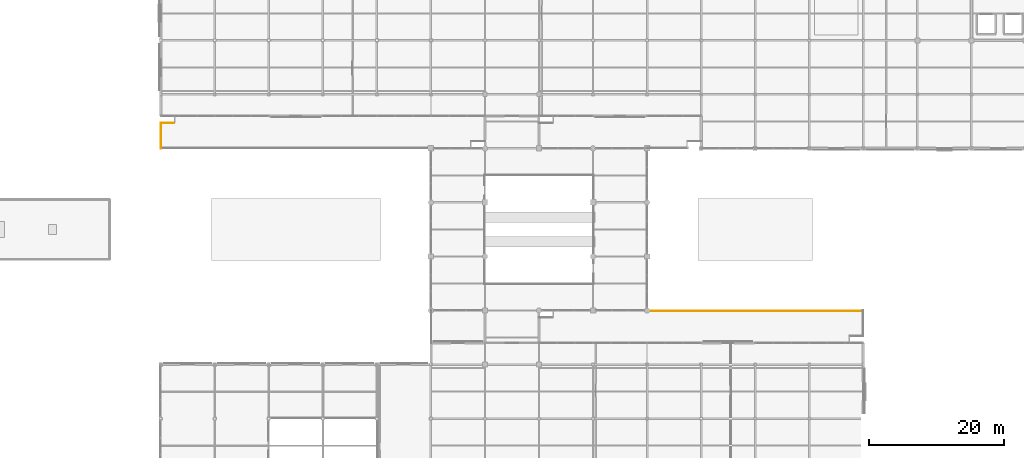
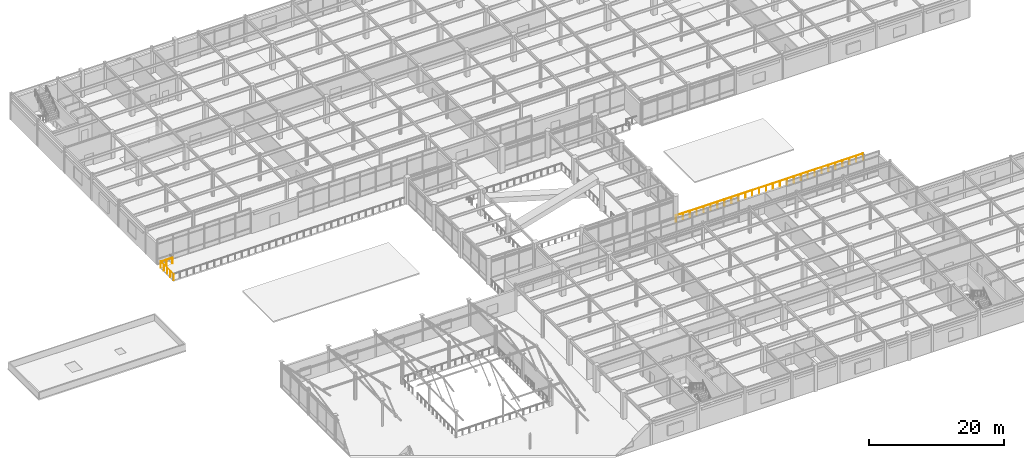
# One storey, part 108 of 117: 3 railings.
"""IFC4 building model written with IfcOpenShell, lengths in metres."""

from ifc_helpers import new_model, si_unit, direction, frame, origin, origin_2d, place, context, subcontext, project, spatial, circle, extrude, material, type_object, element, save


model = new_model("IFC4")

# Units and contexts
model_context = context("Model", 3, precision=1e-05, world=origin(), true_north=direction((0.0, 1.0)))
body_context = subcontext(model_context, "Body", "Model", "MODEL_VIEW")
ifc_project = project(units=[si_unit("LENGTHUNIT", "METRE"), si_unit("AREAUNIT", "SQUARE_METRE"), si_unit("VOLUMEUNIT", "CUBIC_METRE"), si_unit("PLANEANGLEUNIT", "RADIAN"), si_unit("MASSUNIT", "GRAM", prefix="KILO")], contexts=[model_context])

# Site, building, storey
site_placement = place(None, origin())
site = spatial("IfcSite", under=ifc_project, at=site_placement, CompositionType="ELEMENT")
building_placement = place(site_placement, origin())
building = spatial("IfcBuilding", under=site, at=building_placement, Name="Solmirada Galleria", CompositionType="ELEMENT")
storey_placement = place(building_placement, frame((0.0, 0.0, 5.60009765625)))
storey = spatial("IfcBuildingStorey", under=building, at=storey_placement, Name="L01", CompositionType="ELEMENT", Elevation=5.60009765625)

# Railings
ifc_material = material(Name="Painted galvanized steel balustrade", Category="steel")
railing_type = type_object("IfcRailingType", Name="RAIL-TERR-1100", PredefinedType="GUARDRAIL", material=ifc_material)
railing_1_placement = place(storey_placement, frame((42.0, 75.75, 0.0)))
element("IfcRailing", 1, at=railing_1_placement, inside=storey, type_object=railing_type, Name="Terrace guardrail L01-TERR-NW E7.1", PredefinedType="GUARDRAIL", context=body_context, shape_type="SweptSolid", body=[
    extrude(circle(Radius=0.02392578125, at=origin_2d()), frame((0.0, 0.0, 1.09619140625), z_axis=(-1.0, 0.0, 0.0), x_axis=(0.0, -1.0, 0.0)), (0.0, 0.0, 1.0), 2.0),
    extrude(circle(Radius=0.02099609375, at=origin_2d()), origin(), (0.0, 0.0, 1.0), 1.068115234375),
    extrude(circle(Radius=0.02099609375, at=origin_2d()), frame((-1.0, 0.0, 0.0)), (0.0, 0.0, 1.0), 1.068115234375),
    extrude(circle(Radius=0.02099609375, at=origin_2d()), frame((-2.0, 0.0, 0.0)), (0.0, 0.0, 1.0), 1.068115234375),
])
railing_2_placement = place(storey_placement, frame((40.050048828125, 75.800048828125, 0.0)))
element("IfcRailing", 2, at=railing_2_placement, inside=storey, type_object=railing_type, Name="Terrace guardrail L01-TERR-NW E8.1", PredefinedType="GUARDRAIL", context=body_context, shape_type="SweptSolid", body=[
    extrude(circle(Radius=0.02392578125, at=origin_2d()), frame((0.0, 0.0, 1.09619140625), z_axis=(0.0, -1.0, 0.0), x_axis=(1.0, 0.0, 0.0)), (0.0, 0.0, 1.0), 3.800048828125),
    extrude(circle(Radius=0.02099609375, at=origin_2d()), origin(), (0.0, 0.0, 1.0), 1.068115234375),
    extrude(circle(Radius=0.02099609375, at=origin_2d()), frame((0.0, -0.949951171875, 0.0)), (0.0, 0.0, 1.0), 1.068115234375),
    extrude(circle(Radius=0.02099609375, at=origin_2d()), frame((0.0, -1.89990234375, 0.0)), (0.0, 0.0, 1.0), 1.068115234375),
    extrude(circle(Radius=0.02099609375, at=origin_2d()), frame((0.0, -2.85009765625, 0.0)), (0.0, 0.0, 1.0), 1.068115234375),
    extrude(circle(Radius=0.02099609375, at=origin_2d()), frame((0.0, -3.800048828125, 0.0)), (0.0, 0.0, 1.0), 1.068115234375),
])
railing_3_placement = place(storey_placement, frame((144.0, 47.949951171875, 0.0)))
element("IfcRailing", 3, at=railing_3_placement, inside=storey, type_object=railing_type, Name="Terrace guardrail L01-TERR-SE E5.1", PredefinedType="GUARDRAIL", context=body_context, shape_type="SweptSolid", body=[
    extrude(circle(Radius=0.02392578125, at=origin_2d()), frame((0.0, 0.0, 1.09619140625), z_axis=(-1.0, 0.0, 0.0), x_axis=(0.0, -1.0, 0.0)), (0.0, 0.0, 1.0), 32.0),
    extrude(circle(Radius=0.02099609375, at=origin_2d()), origin(), (0.0, 0.0, 1.0), 1.068115234375),
    extrude(circle(Radius=0.02099609375, at=origin_2d()), frame((-1.185302734375, 0.0, 0.0)), (0.0, 0.0, 1.0), 1.068115234375),
    extrude(circle(Radius=0.02099609375, at=origin_2d()), frame((-2.370361328125, 0.0, 0.0)), (0.0, 0.0, 1.0), 1.068115234375),
    extrude(circle(Radius=0.02099609375, at=origin_2d()), frame((-3.5556640625, 0.0, 0.0)), (0.0, 0.0, 1.0), 1.068115234375),
    extrude(circle(Radius=0.02099609375, at=origin_2d()), frame((-4.74072265625, 0.0, 0.0)), (0.0, 0.0, 1.0), 1.068115234375),
    extrude(circle(Radius=0.02099609375, at=origin_2d()), frame((-5.926025390625, 0.0, 0.0)), (0.0, 0.0, 1.0), 1.068115234375),
    extrude(circle(Radius=0.02099609375, at=origin_2d()), frame((-7.111083984375, 0.0, 0.0)), (0.0, 0.0, 1.0), 1.068115234375),
    extrude(circle(Radius=0.02099609375, at=origin_2d()), frame((-8.29638671875, 0.0, 0.0)), (0.0, 0.0, 1.0), 1.068115234375),
    extrude(circle(Radius=0.02099609375, at=origin_2d()), frame((-9.4814453125, 0.0, 0.0)), (0.0, 0.0, 1.0), 1.068115234375),
    extrude(circle(Radius=0.02099609375, at=origin_2d()), frame((-10.666748046875, 0.0, 0.0)), (0.0, 0.0, 1.0), 1.068115234375),
    extrude(circle(Radius=0.02099609375, at=origin_2d()), frame((-11.851806640625, 0.0, 0.0)), (0.0, 0.0, 1.0), 1.068115234375),
    extrude(circle(Radius=0.02099609375, at=origin_2d()), frame((-13.037109375, 0.0, 0.0)), (0.0, 0.0, 1.0), 1.068115234375),
    extrude(circle(Radius=0.02099609375, at=origin_2d()), frame((-14.22216796875, 0.0, 0.0)), (0.0, 0.0, 1.0), 1.068115234375),
    extrude(circle(Radius=0.02099609375, at=origin_2d()), frame((-15.407470703125, 0.0, 0.0)), (0.0, 0.0, 1.0), 1.068115234375),
    extrude(circle(Radius=0.02099609375, at=origin_2d()), frame((-16.592529296875, 0.0, 0.0)), (0.0, 0.0, 1.0), 1.068115234375),
    extrude(circle(Radius=0.02099609375, at=origin_2d()), frame((-17.77783203125, 0.0, 0.0)), (0.0, 0.0, 1.0), 1.068115234375),
    extrude(circle(Radius=0.02099609375, at=origin_2d()), frame((-18.962890625, 0.0, 0.0)), (0.0, 0.0, 1.0), 1.068115234375),
    extrude(circle(Radius=0.02099609375, at=origin_2d()), frame((-20.148193359375, 0.0, 0.0)), (0.0, 0.0, 1.0), 1.068115234375),
    extrude(circle(Radius=0.02099609375, at=origin_2d()), frame((-21.333251953125, 0.0, 0.0)), (0.0, 0.0, 1.0), 1.068115234375),
    extrude(circle(Radius=0.02099609375, at=origin_2d()), frame((-22.5185546875, 0.0, 0.0)), (0.0, 0.0, 1.0), 1.068115234375),
    extrude(circle(Radius=0.02099609375, at=origin_2d()), frame((-23.70361328125, 0.0, 0.0)), (0.0, 0.0, 1.0), 1.068115234375),
    extrude(circle(Radius=0.02099609375, at=origin_2d()), frame((-24.888916015625, 0.0, 0.0)), (0.0, 0.0, 1.0), 1.068115234375),
    extrude(circle(Radius=0.02099609375, at=origin_2d()), frame((-26.073974609375, 0.0, 0.0)), (0.0, 0.0, 1.0), 1.068115234375),
    extrude(circle(Radius=0.02099609375, at=origin_2d()), frame((-27.25927734375, 0.0, 0.0)), (0.0, 0.0, 1.0), 1.068115234375),
    extrude(circle(Radius=0.02099609375, at=origin_2d()), frame((-28.4443359375, 0.0, 0.0)), (0.0, 0.0, 1.0), 1.068115234375),
    extrude(circle(Radius=0.02099609375, at=origin_2d()), frame((-29.629638671875, 0.0, 0.0)), (0.0, 0.0, 1.0), 1.068115234375),
    extrude(circle(Radius=0.02099609375, at=origin_2d()), frame((-30.814697265625, 0.0, 0.0)), (0.0, 0.0, 1.0), 1.068115234375),
    extrude(circle(Radius=0.02099609375, at=origin_2d()), frame((-32.0, 0.0, 0.0)), (0.0, 0.0, 1.0), 1.068115234375),
])

save(model, "model.ifc")
